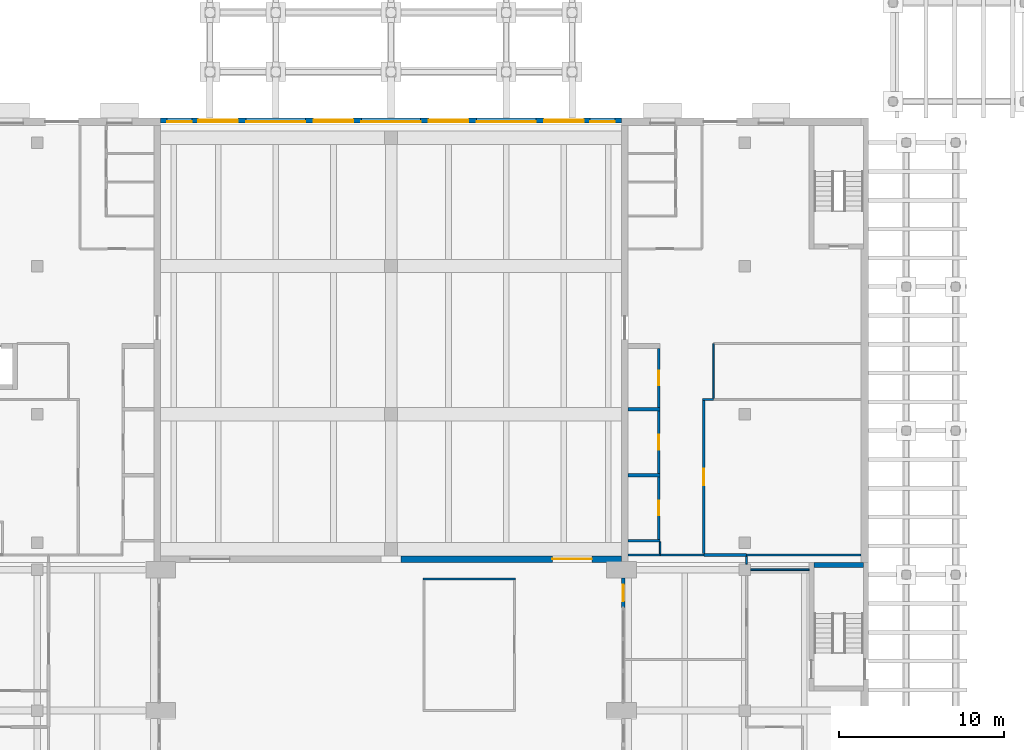
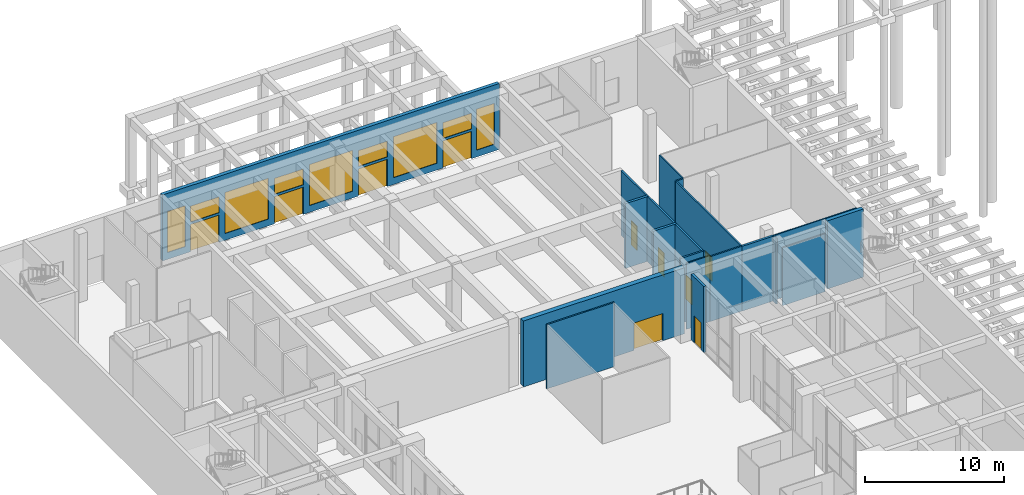
# One storey, part 39 of 51: 21 walls, 10 doors, 9 windows, 19 openings.
"""IFC4 building model written with IfcOpenShell, lengths in metres."""

from ifc_helpers import new_model, si_unit, direction, frame, frame_2d, origin, place, context, subcontext, project, spatial, rectangle, extrude, material, layer, layer_set, type_object, element, fill, save


model = new_model("IFC4")

# Units and contexts
model_context = context("Model", 3, precision=1e-05, world=origin(), true_north=direction((0.0, 1.0)))
body_context = subcontext(model_context, "Body", "Model", "MODEL_VIEW")
ifc_project = project(units=[si_unit("LENGTHUNIT", "METRE"), si_unit("AREAUNIT", "SQUARE_METRE"), si_unit("VOLUMEUNIT", "CUBIC_METRE"), si_unit("PLANEANGLEUNIT", "RADIAN"), si_unit("MASSUNIT", "GRAM", prefix="KILO")], contexts=[model_context])

# Site, building, storey
site_placement = place(None, origin())
site = spatial("IfcSite", under=ifc_project, at=site_placement, CompositionType="ELEMENT")
building_placement = place(site_placement, origin())
building = spatial("IfcBuilding", under=site, at=building_placement, Name="Elmora Arch Market Hall", CompositionType="ELEMENT")
storey_placement = place(building_placement, origin())
storey = spatial("IfcBuildingStorey", under=building, at=storey_placement, Name="L00", CompositionType="ELEMENT", Elevation=0.0)

# Wall
ifc_material_1 = material(Name="Blockwork", Category="masonry")
ifc_layer_1 = layer(ifc_material_1, 0.14990234375)
ifc_layer_set_1 = layer_set([ifc_layer_1], Name="Blockwork")
wall_type_1 = type_object("IfcWallType", Name="Blockwork partition 150 EI 120", PredefinedType="PARTITIONING", material=ifc_layer_set_1)
wall_1_placement = place(storey_placement, frame((43.39990234375, 100.324951171875, 0.0), z_axis=(0.0, 0.0, 1.0), x_axis=(1.0, 0.0, 0.0)))
element("IfcWall", 1, at=wall_1_placement, inside=storey, type_object=wall_type_1, Name="Riser wall L00 22", PredefinedType="PARTITIONING", context=body_context, shape_type="SweptSolid", body=[
    extrude(rectangle(XDim=1.9501953125, YDim=0.14990234375, at=frame_2d((0.97509765625, 0.0))), origin(), (0.0, 0.0, 1.0), 5.699951171875),
])

# Wall, opening, door
wall_2_placement = place(storey_placement, frame((45.27490234375, 100.39990234375, 0.0), z_axis=(0.0, 0.0, 1.0), x_axis=(0.0, 1.0, 0.0)))
wall_2 = element("IfcWall", 2, at=wall_2_placement, inside=storey, type_object=wall_type_1, Name="Riser wall L00 26", PredefinedType="PARTITIONING", context=body_context, shape_type="SweptSolid", body=[
    extrude(rectangle(XDim=3.800048828125, YDim=0.14990234375, at=frame_2d((1.89990234375, 0.0))), origin(), (0.0, 0.0, 1.0), 5.699951171875),
])
opening_1_placement = place(wall_2_placement, frame((1.449951171875, 0.0, 0.0)))
opening_1 = element("IfcOpeningElement", 3, at=opening_1_placement, cuts=wall_2, Name="Opening D-L00-078", PredefinedType="OPENING", context=body_context, shape_type="SweptSolid", body=[
    extrude(rectangle(XDim=0.89990234375, YDim=2.10009765625, at=frame_2d((0.449951171875, 1.050048828125))), frame((0.0, 0.0849609375, 0.0), z_axis=(0.0, -1.0, 0.0), x_axis=(1.0, 0.0, 0.0)), (0.0, 0.0, 1.0), 0.169921875),
])
ifc_material_2 = material(Name="Steel ASTM A653 galvanised", Category="steel")
door_type_1 = type_object("IfcDoorType", Name="Door 900 x 2100 FD90", OperationType="SINGLE_SWING_LEFT", PredefinedType="DOOR", material=ifc_material_2)
door_1_placement = place(opening_1_placement, origin())
door_1 = element("IfcDoor", 4, at=door_1_placement, inside=storey, type_object=door_type_1, Name="Riser access door D-L00-078", OperationType="SINGLE_SWING_LEFT", OverallHeight=2.10009765625, OverallWidth=0.89990234375, PredefinedType="DOOR", context=body_context, shape_type="SweptSolid", body=[
    extrude(rectangle(XDim=0.89990234375, YDim=2.10009765625, at=frame_2d((0.449951171875, 1.050048828125))), frame((0.0, 0.02490234375, 0.0), z_axis=(0.0, -1.0, 0.0), x_axis=(1.0, 0.0, 0.0)), (0.0, 0.0, 1.0), 0.050048828125),
])
fill(opening_1, door_1)

wall_3_placement = place(storey_placement, frame((45.27490234375, 104.39990234375, 0.0), z_axis=(0.0, 0.0, 1.0), x_axis=(0.0, 1.0, 0.0)))
wall_3 = element("IfcWall", 5, at=wall_3_placement, inside=storey, type_object=wall_type_1, Name="Riser wall L00 27", PredefinedType="PARTITIONING", context=body_context, shape_type="SweptSolid", body=[
    extrude(rectangle(XDim=3.800048828125, YDim=0.14990234375, at=frame_2d((1.89990234375, 0.0))), origin(), (0.0, 0.0, 1.0), 5.699951171875),
])
opening_2_placement = place(wall_3_placement, frame((1.449951171875, 0.0, 0.0)))
opening_2 = element("IfcOpeningElement", 6, at=opening_2_placement, cuts=wall_3, Name="Opening D-L00-082", PredefinedType="OPENING", context=body_context, shape_type="SweptSolid", body=[
    extrude(rectangle(XDim=0.89990234375, YDim=2.10009765625, at=frame_2d((0.449951171875, 1.050048828125))), frame((0.0, 0.0849609375, 0.0), z_axis=(0.0, -1.0, 0.0), x_axis=(1.0, 0.0, 0.0)), (0.0, 0.0, 1.0), 0.169921875),
])
door_2_placement = place(opening_2_placement, origin())
door_2 = element("IfcDoor", 7, at=door_2_placement, inside=storey, type_object=door_type_1, Name="Riser access door D-L00-082", OperationType="SINGLE_SWING_LEFT", OverallHeight=2.10009765625, OverallWidth=0.89990234375, PredefinedType="DOOR", context=body_context, shape_type="SweptSolid", body=[
    extrude(rectangle(XDim=0.89990234375, YDim=2.10009765625, at=frame_2d((0.449951171875, 1.050048828125))), frame((0.0, 0.02490234375, 0.0), z_axis=(0.0, -1.0, 0.0), x_axis=(1.0, 0.0, 0.0)), (0.0, 0.0, 1.0), 0.050048828125),
])
fill(opening_2, door_2)

wall_4_placement = place(storey_placement, frame((45.27490234375, 108.39990234375, 0.0), z_axis=(0.0, 0.0, 1.0), x_axis=(0.0, 1.0, 0.0)))
wall_4 = element("IfcWall", 8, at=wall_4_placement, inside=storey, type_object=wall_type_1, Name="Riser wall L00 28", PredefinedType="PARTITIONING", context=body_context, shape_type="SweptSolid", body=[
    extrude(rectangle(XDim=3.60009765625, YDim=0.14990234375, at=frame_2d((1.800048828125, 0.0))), origin(), (0.0, 0.0, 1.0), 5.699951171875),
])
opening_3_placement = place(wall_4_placement, frame((1.35009765625, 0.0, 0.0)))
opening_3 = element("IfcOpeningElement", 9, at=opening_3_placement, cuts=wall_4, Name="Opening D-L00-084", PredefinedType="OPENING", context=body_context, shape_type="SweptSolid", body=[
    extrude(rectangle(XDim=0.89990234375, YDim=2.10009765625, at=frame_2d((0.449951171875, 1.050048828125))), frame((0.0, 0.0849609375, 0.0), z_axis=(0.0, -1.0, 0.0), x_axis=(1.0, 0.0, 0.0)), (0.0, 0.0, 1.0), 0.169921875),
])
door_3_placement = place(opening_3_placement, origin())
door_3 = element("IfcDoor", 10, at=door_3_placement, inside=storey, type_object=door_type_1, Name="Riser access door D-L00-084", OperationType="SINGLE_SWING_LEFT", OverallHeight=2.10009765625, OverallWidth=0.89990234375, PredefinedType="DOOR", context=body_context, shape_type="SweptSolid", body=[
    extrude(rectangle(XDim=0.89990234375, YDim=2.10009765625, at=frame_2d((0.449951171875, 1.050048828125))), frame((0.0, 0.02490234375, 0.0), z_axis=(0.0, -1.0, 0.0), x_axis=(1.0, 0.0, 0.0)), (0.0, 0.0, 1.0), 0.050048828125),
])
fill(opening_3, door_3)

# Walls
ifc_material_3 = material(Name="Blockwork", Category="masonry")
ifc_layer_2 = layer(ifc_material_3, 0.199951171875)
ifc_layer_set_2 = layer_set([ifc_layer_2], Name="Blockwork")
wall_type_2 = type_object("IfcWallType", Name="Blockwork partition 200 EI 120", PredefinedType="PARTITIONING", material=ifc_layer_set_2)
for number, where, z_axis, x_axis, name in (
    (11, (43.39990234375, 104.300048828125, 0.0), (0.0, 0.0, 1.0), (1.0, 0.0, 0.0), "Riser wall L00 23"),
    (12, (43.39990234375, 108.300048828125, 0.0), (0.0, 0.0, 1.0), (1.0, 0.0, 0.0), "Riser wall L00 24"),
):
    element("IfcWall", number, at=place(storey_placement, frame(where, z_axis=z_axis, x_axis=x_axis)), inside=storey, type_object=wall_type_2, Name=name, PredefinedType="PARTITIONING", context=body_context, shape_type="SweptSolid", body=[
        extrude(rectangle(XDim=1.9501953125, YDim=0.199951171875, at=frame_2d((0.97509765625, 0.0))), origin(), (0.0, 0.0, 1.0), 5.699951171875),
    ])

# Wall, openings, windows, doors
ifc_material_4 = material(Name="Concrete C40/50", Category="concrete")
ifc_layer_3 = layer(ifc_material_4, 0.300048828125)
ifc_layer_set_3 = layer_set([ifc_layer_3], Name="Concrete C40/50")
wall_type_3 = type_object("IfcWallType", Name="Board-marked concrete wall 300", PredefinedType="SOLIDWALL", material=ifc_layer_set_3)
wall_5_placement = place(storey_placement, frame((15.0, 125.85009765625, 0.0), z_axis=(0.0, 0.0, 1.0), x_axis=(1.0, 0.0, 0.0)))
wall_5 = element("IfcWall", 13, at=wall_5_placement, inside=storey, type_object=wall_type_3, Name="Gate screen wall", PredefinedType="SOLIDWALL", context=body_context, shape_type="SweptSolid", body=[
    extrude(rectangle(XDim=28.0, YDim=0.300048828125, at=frame_2d((14.0, 0.0))), origin(), (0.0, 0.0, 1.0), 5.800048828125),
])
opening_4_placement = place(wall_5_placement, frame((2.300048828125, 0.0, 0.0)))
opening_4 = element("IfcOpeningElement", 14, at=opening_4_placement, cuts=wall_5, Name="Opening EX-MKT-1", PredefinedType="OPENING", context=body_context, shape_type="SweptSolid", body=[
    extrude(rectangle(XDim=2.39990234375, YDim=2.39990234375, at=frame_2d((1.199951171875, 1.199951171875))), frame((0.0, 0.159912109375, 0.0), z_axis=(0.0, -1.0, 0.0), x_axis=(1.0, 0.0, 0.0)), (0.0, 0.0, 1.0), 0.320068359375),
])
opening_5_placement = place(wall_5_placement, frame((2.300048828125, 0.0, 2.60009765625)))
opening_5 = element("IfcOpeningElement", 15, at=opening_5_placement, cuts=wall_5, Name="Opening WK2", PredefinedType="OPENING", context=body_context, shape_type="SweptSolid", body=[
    extrude(rectangle(XDim=2.39990234375, YDim=1.39990234375, at=frame_2d((1.199951171875, 0.699951171875))), frame((0.0, 0.159912109375, 0.0), z_axis=(0.0, -1.0, 0.0), x_axis=(1.0, 0.0, 0.0)), (0.0, 0.0, 1.0), 0.320068359375),
])
opening_6_placement = place(wall_5_placement, frame((9.300048828125, 0.0, 0.0)))
opening_6 = element("IfcOpeningElement", 16, at=opening_6_placement, cuts=wall_5, Name="Opening EX-MKT-2", PredefinedType="OPENING", context=body_context, shape_type="SweptSolid", body=[
    extrude(rectangle(XDim=2.39990234375, YDim=2.39990234375, at=frame_2d((1.199951171875, 1.199951171875))), frame((0.0, 0.159912109375, 0.0), z_axis=(0.0, -1.0, 0.0), x_axis=(1.0, 0.0, 0.0)), (0.0, 0.0, 1.0), 0.320068359375),
])
opening_7_placement = place(wall_5_placement, frame((9.300048828125, 0.0, 2.60009765625)))
opening_7 = element("IfcOpeningElement", 17, at=opening_7_placement, cuts=wall_5, Name="Opening WK2", PredefinedType="OPENING", context=body_context, shape_type="SweptSolid", body=[
    extrude(rectangle(XDim=2.39990234375, YDim=1.39990234375, at=frame_2d((1.199951171875, 0.699951171875))), frame((0.0, 0.159912109375, 0.0), z_axis=(0.0, -1.0, 0.0), x_axis=(1.0, 0.0, 0.0)), (0.0, 0.0, 1.0), 0.320068359375),
])
opening_8_placement = place(wall_5_placement, frame((16.300048828125, 0.0, 0.0)))
opening_8 = element("IfcOpeningElement", 18, at=opening_8_placement, cuts=wall_5, Name="Opening EX-MKT-3", PredefinedType="OPENING", context=body_context, shape_type="SweptSolid", body=[
    extrude(rectangle(XDim=2.39990234375, YDim=2.39990234375, at=frame_2d((1.199951171875, 1.199951171875))), frame((0.0, 0.159912109375, 0.0), z_axis=(0.0, -1.0, 0.0), x_axis=(1.0, 0.0, 0.0)), (0.0, 0.0, 1.0), 0.320068359375),
])
opening_9_placement = place(wall_5_placement, frame((16.300048828125, 0.0, 2.60009765625)))
opening_9 = element("IfcOpeningElement", 19, at=opening_9_placement, cuts=wall_5, Name="Opening WK2", PredefinedType="OPENING", context=body_context, shape_type="SweptSolid", body=[
    extrude(rectangle(XDim=2.39990234375, YDim=1.39990234375, at=frame_2d((1.199951171875, 0.699951171875))), frame((0.0, 0.159912109375, 0.0), z_axis=(0.0, -1.0, 0.0), x_axis=(1.0, 0.0, 0.0)), (0.0, 0.0, 1.0), 0.320068359375),
])
opening_10_placement = place(wall_5_placement, frame((23.300048828125, 0.0, 0.0)))
opening_10 = element("IfcOpeningElement", 20, at=opening_10_placement, cuts=wall_5, Name="Opening EX-MKT-4", PredefinedType="OPENING", context=body_context, shape_type="SweptSolid", body=[
    extrude(rectangle(XDim=2.39990234375, YDim=2.39990234375, at=frame_2d((1.199951171875, 1.199951171875))), frame((0.0, 0.159912109375, 0.0), z_axis=(0.0, -1.0, 0.0), x_axis=(1.0, 0.0, 0.0)), (0.0, 0.0, 1.0), 0.320068359375),
])
opening_11_placement = place(wall_5_placement, frame((23.300048828125, 0.0, 2.60009765625)))
opening_11 = element("IfcOpeningElement", 21, at=opening_11_placement, cuts=wall_5, Name="Opening WK2", PredefinedType="OPENING", context=body_context, shape_type="SweptSolid", body=[
    extrude(rectangle(XDim=2.39990234375, YDim=1.39990234375, at=frame_2d((1.199951171875, 0.699951171875))), frame((0.0, 0.159912109375, 0.0), z_axis=(0.0, -1.0, 0.0), x_axis=(1.0, 0.0, 0.0)), (0.0, 0.0, 1.0), 0.320068359375),
])
opening_12_placement = place(wall_5_placement, frame((0.39990234375, 0.0, 0.60009765625)))
opening_12 = element("IfcOpeningElement", 22, at=opening_12_placement, cuts=wall_5, Name="Opening WK3", PredefinedType="OPENING", context=body_context, shape_type="SweptSolid", body=[
    extrude(rectangle(XDim=1.5, YDim=3.60009765625, at=frame_2d((0.75, 1.800048828125))), frame((0.0, 0.159912109375, 0.0), z_axis=(0.0, -1.0, 0.0), x_axis=(1.0, 0.0, 0.0)), (0.0, 0.0, 1.0), 0.320068359375),
])
opening_13_placement = place(wall_5_placement, frame((5.199951171875, 0.0, 0.60009765625)))
opening_13 = element("IfcOpeningElement", 23, at=opening_13_placement, cuts=wall_5, Name="Opening WK1", PredefinedType="OPENING", context=body_context, shape_type="SweptSolid", body=[
    extrude(rectangle(XDim=3.60009765625, YDim=3.60009765625, at=frame_2d((1.800048828125, 1.800048828125))), frame((0.0, 0.159912109375, 0.0), z_axis=(0.0, -1.0, 0.0), x_axis=(1.0, 0.0, 0.0)), (0.0, 0.0, 1.0), 0.320068359375),
])
opening_14_placement = place(wall_5_placement, frame((12.199951171875, 0.0, 0.60009765625)))
opening_14 = element("IfcOpeningElement", 24, at=opening_14_placement, cuts=wall_5, Name="Opening WK1", PredefinedType="OPENING", context=body_context, shape_type="SweptSolid", body=[
    extrude(rectangle(XDim=3.60009765625, YDim=3.60009765625, at=frame_2d((1.800048828125, 1.800048828125))), frame((0.0, 0.159912109375, 0.0), z_axis=(0.0, -1.0, 0.0), x_axis=(1.0, 0.0, 0.0)), (0.0, 0.0, 1.0), 0.320068359375),
])
opening_15_placement = place(wall_5_placement, frame((19.199951171875, 0.0, 0.60009765625)))
opening_15 = element("IfcOpeningElement", 25, at=opening_15_placement, cuts=wall_5, Name="Opening WK1", PredefinedType="OPENING", context=body_context, shape_type="SweptSolid", body=[
    extrude(rectangle(XDim=3.60009765625, YDim=3.60009765625, at=frame_2d((1.800048828125, 1.800048828125))), frame((0.0, 0.159912109375, 0.0), z_axis=(0.0, -1.0, 0.0), x_axis=(1.0, 0.0, 0.0)), (0.0, 0.0, 1.0), 0.320068359375),
])
opening_16_placement = place(wall_5_placement, frame((26.10009765625, 0.0, 0.60009765625)))
opening_16 = element("IfcOpeningElement", 26, at=opening_16_placement, cuts=wall_5, Name="Opening WK3", PredefinedType="OPENING", context=body_context, shape_type="SweptSolid", body=[
    extrude(rectangle(XDim=1.5, YDim=3.60009765625, at=frame_2d((0.75, 1.800048828125))), frame((0.0, 0.159912109375, 0.0), z_axis=(0.0, -1.0, 0.0), x_axis=(1.0, 0.0, 0.0)), (0.0, 0.0, 1.0), 0.320068359375),
])
ifc_material_5 = material(Name="Aluminium", Category="aluminium")
window_type_1 = type_object("IfcWindowType", Name="Gate fanlight 2400x1400", PartitioningType="SINGLE_PANEL", PredefinedType="WINDOW", material=ifc_material_5)
window_1_placement = place(opening_5_placement, origin())
window_1 = element("IfcWindow", 27, at=window_1_placement, inside=storey, type_object=window_type_1, Name="Window WK2 L00 N57", OverallHeight=1.39990234375, OverallWidth=2.39990234375, PartitioningType="SINGLE_PANEL", PredefinedType="WINDOW", context=body_context, shape_type="SweptSolid", body=[
    extrude(rectangle(XDim=2.39990234375, YDim=1.39990234375, at=frame_2d((1.199951171875, 0.699951171875))), frame((0.0, -0.050048828125, 0.0), z_axis=(0.0, -1.0, 0.0), x_axis=(1.0, 0.0, 0.0)), (0.0, 0.0, 1.0), 0.06005859375),
])
fill(opening_5, window_1)
window_2_placement = place(opening_7_placement, origin())
window_2 = element("IfcWindow", 28, at=window_2_placement, inside=storey, type_object=window_type_1, Name="Window WK2 L00 N58", OverallHeight=1.39990234375, OverallWidth=2.39990234375, PartitioningType="SINGLE_PANEL", PredefinedType="WINDOW", context=body_context, shape_type="SweptSolid", body=[
    extrude(rectangle(XDim=2.39990234375, YDim=1.39990234375, at=frame_2d((1.199951171875, 0.699951171875))), frame((0.0, -0.050048828125, 0.0), z_axis=(0.0, -1.0, 0.0), x_axis=(1.0, 0.0, 0.0)), (0.0, 0.0, 1.0), 0.06005859375),
])
fill(opening_7, window_2)
window_3_placement = place(opening_9_placement, origin())
window_3 = element("IfcWindow", 29, at=window_3_placement, inside=storey, type_object=window_type_1, Name="Window WK2 L00 N59", OverallHeight=1.39990234375, OverallWidth=2.39990234375, PartitioningType="SINGLE_PANEL", PredefinedType="WINDOW", context=body_context, shape_type="SweptSolid", body=[
    extrude(rectangle(XDim=2.39990234375, YDim=1.39990234375, at=frame_2d((1.199951171875, 0.699951171875))), frame((0.0, -0.050048828125, 0.0), z_axis=(0.0, -1.0, 0.0), x_axis=(1.0, 0.0, 0.0)), (0.0, 0.0, 1.0), 0.06005859375),
])
fill(opening_9, window_3)
window_4_placement = place(opening_11_placement, origin())
window_4 = element("IfcWindow", 30, at=window_4_placement, inside=storey, type_object=window_type_1, Name="Window WK2 L00 N60", OverallHeight=1.39990234375, OverallWidth=2.39990234375, PartitioningType="SINGLE_PANEL", PredefinedType="WINDOW", context=body_context, shape_type="SweptSolid", body=[
    extrude(rectangle(XDim=2.39990234375, YDim=1.39990234375, at=frame_2d((1.199951171875, 0.699951171875))), frame((0.0, -0.050048828125, 0.0), z_axis=(0.0, -1.0, 0.0), x_axis=(1.0, 0.0, 0.0)), (0.0, 0.0, 1.0), 0.06005859375),
])
fill(opening_11, window_4)
ifc_material_6 = material(Name="Aluminium", Category="aluminium")
window_type_2 = type_object("IfcWindowType", Name="Gate light 1500x3600", PartitioningType="SINGLE_PANEL", PredefinedType="WINDOW", material=ifc_material_6)
window_5_placement = place(opening_12_placement, origin())
window_5 = element("IfcWindow", 31, at=window_5_placement, inside=storey, type_object=window_type_2, Name="Window WK3 L00 N61", OverallHeight=3.60009765625, OverallWidth=1.5, PartitioningType="SINGLE_PANEL", PredefinedType="WINDOW", context=body_context, shape_type="SweptSolid", body=[
    extrude(rectangle(XDim=1.5, YDim=3.60009765625, at=frame_2d((0.75, 1.800048828125))), frame((0.0, -0.050048828125, 0.0), z_axis=(0.0, -1.0, 0.0), x_axis=(1.0, 0.0, 0.0)), (0.0, 0.0, 1.0), 0.06005859375),
])
fill(opening_12, window_5)
window_6_placement = place(opening_16_placement, origin())
window_6 = element("IfcWindow", 32, at=window_6_placement, inside=storey, type_object=window_type_2, Name="Window WK3 L00 N65", OverallHeight=3.60009765625, OverallWidth=1.5, PartitioningType="SINGLE_PANEL", PredefinedType="WINDOW", context=body_context, shape_type="SweptSolid", body=[
    extrude(rectangle(XDim=1.5, YDim=3.60009765625, at=frame_2d((0.75, 1.800048828125))), frame((0.0, -0.050048828125, 0.0), z_axis=(0.0, -1.0, 0.0), x_axis=(1.0, 0.0, 0.0)), (0.0, 0.0, 1.0), 0.06005859375),
])
fill(opening_16, window_6)
ifc_material_7 = material(Name="Aluminium", Category="aluminium")
window_type_3 = type_object("IfcWindowType", Name="Gate light 3600x3600", PartitioningType="SINGLE_PANEL", PredefinedType="WINDOW", material=ifc_material_7)
window_7_placement = place(opening_13_placement, origin())
window_7 = element("IfcWindow", 33, at=window_7_placement, inside=storey, type_object=window_type_3, Name="Window WK1 L00 N62", OverallHeight=3.60009765625, OverallWidth=3.60009765625, PartitioningType="SINGLE_PANEL", PredefinedType="WINDOW", context=body_context, shape_type="SweptSolid", body=[
    extrude(rectangle(XDim=3.60009765625, YDim=3.60009765625, at=frame_2d((1.800048828125, 1.800048828125))), frame((0.0, -0.050048828125, 0.0), z_axis=(0.0, -1.0, 0.0), x_axis=(1.0, 0.0, 0.0)), (0.0, 0.0, 1.0), 0.06005859375),
])
fill(opening_13, window_7)
window_8_placement = place(opening_14_placement, origin())
window_8 = element("IfcWindow", 34, at=window_8_placement, inside=storey, type_object=window_type_3, Name="Window WK1 L00 N63", OverallHeight=3.60009765625, OverallWidth=3.60009765625, PartitioningType="SINGLE_PANEL", PredefinedType="WINDOW", context=body_context, shape_type="SweptSolid", body=[
    extrude(rectangle(XDim=3.60009765625, YDim=3.60009765625, at=frame_2d((1.800048828125, 1.800048828125))), frame((0.0, -0.050048828125, 0.0), z_axis=(0.0, -1.0, 0.0), x_axis=(1.0, 0.0, 0.0)), (0.0, 0.0, 1.0), 0.06005859375),
])
fill(opening_14, window_8)
window_9_placement = place(opening_15_placement, origin())
window_9 = element("IfcWindow", 35, at=window_9_placement, inside=storey, type_object=window_type_3, Name="Window WK1 L00 N64", OverallHeight=3.60009765625, OverallWidth=3.60009765625, PartitioningType="SINGLE_PANEL", PredefinedType="WINDOW", context=body_context, shape_type="SweptSolid", body=[
    extrude(rectangle(XDim=3.60009765625, YDim=3.60009765625, at=frame_2d((1.800048828125, 1.800048828125))), frame((0.0, -0.050048828125, 0.0), z_axis=(0.0, -1.0, 0.0), x_axis=(1.0, 0.0, 0.0)), (0.0, 0.0, 1.0), 0.06005859375),
])
fill(opening_15, window_9)
ifc_material_8 = material(Name="Glazed aluminium", Category="aluminium")
door_type_2 = type_object("IfcDoorType", Name="Market entrance door 2400x2400", OperationType="DOUBLE_DOOR_DOUBLE_SWING", PredefinedType="DOOR", material=ifc_material_8)
door_4_placement = place(opening_4_placement, origin())
door_4 = element("IfcDoor", 36, at=door_4_placement, inside=storey, type_object=door_type_2, Name="Market entrance 1", OperationType="DOUBLE_DOOR_DOUBLE_SWING", OverallHeight=2.39990234375, OverallWidth=2.39990234375, PredefinedType="DOOR", context=body_context, shape_type="SweptSolid", body=[
    extrude(rectangle(XDim=2.39990234375, YDim=2.39990234375, at=frame_2d((1.199951171875, 1.199951171875))), frame((0.0, 0.02490234375, 0.0), z_axis=(0.0, -1.0, 0.0), x_axis=(1.0, 0.0, 0.0)), (0.0, 0.0, 1.0), 0.050048828125),
])
fill(opening_4, door_4)
door_5_placement = place(opening_6_placement, origin())
door_5 = element("IfcDoor", 37, at=door_5_placement, inside=storey, type_object=door_type_2, Name="Market entrance 2", OperationType="DOUBLE_DOOR_DOUBLE_SWING", OverallHeight=2.39990234375, OverallWidth=2.39990234375, PredefinedType="DOOR", context=body_context, shape_type="SweptSolid", body=[
    extrude(rectangle(XDim=2.39990234375, YDim=2.39990234375, at=frame_2d((1.199951171875, 1.199951171875))), frame((0.0, 0.02490234375, 0.0), z_axis=(0.0, -1.0, 0.0), x_axis=(1.0, 0.0, 0.0)), (0.0, 0.0, 1.0), 0.050048828125),
])
fill(opening_6, door_5)
door_6_placement = place(opening_8_placement, origin())
door_6 = element("IfcDoor", 38, at=door_6_placement, inside=storey, type_object=door_type_2, Name="Market entrance 3", OperationType="DOUBLE_DOOR_DOUBLE_SWING", OverallHeight=2.39990234375, OverallWidth=2.39990234375, PredefinedType="DOOR", context=body_context, shape_type="SweptSolid", body=[
    extrude(rectangle(XDim=2.39990234375, YDim=2.39990234375, at=frame_2d((1.199951171875, 1.199951171875))), frame((0.0, 0.02490234375, 0.0), z_axis=(0.0, -1.0, 0.0), x_axis=(1.0, 0.0, 0.0)), (0.0, 0.0, 1.0), 0.050048828125),
])
fill(opening_8, door_6)
door_7_placement = place(opening_10_placement, origin())
door_7 = element("IfcDoor", 39, at=door_7_placement, inside=storey, type_object=door_type_2, Name="Market entrance 4", OperationType="DOUBLE_DOOR_DOUBLE_SWING", OverallHeight=2.39990234375, OverallWidth=2.39990234375, PredefinedType="DOOR", context=body_context, shape_type="SweptSolid", body=[
    extrude(rectangle(XDim=2.39990234375, YDim=2.39990234375, at=frame_2d((1.199951171875, 1.199951171875))), frame((0.0, 0.02490234375, 0.0), z_axis=(0.0, -1.0, 0.0), x_axis=(1.0, 0.0, 0.0)), (0.0, 0.0, 1.0), 0.050048828125),
])
fill(opening_10, door_7)

# Wall, opening, door
ifc_material_9 = material(Name="Concrete C40/50", Category="concrete")
ifc_layer_4 = layer(ifc_material_9, 0.199951171875)
ifc_layer_set_4 = layer_set([ifc_layer_4], Name="Concrete C40/50")
wall_type_4 = type_object("IfcWallType", Name="Concrete shopfront pier 200", PredefinedType="PARTITIONING", material=ifc_layer_set_4)
wall_6_placement = place(storey_placement, frame((43.10009765625, 96.25, 0.0), z_axis=(0.0, 0.0, 1.0), x_axis=(0.0, 1.0, 0.0)))
wall_6 = element("IfcWall", 40, at=wall_6_placement, inside=storey, type_object=wall_type_4, Name="Shopfront pier E 8", PredefinedType="PARTITIONING", context=body_context, shape_type="SweptSolid", body=[
    extrude(rectangle(XDim=1.800048828125, YDim=0.199951171875, at=frame_2d((0.89990234375, 0.0))), origin(), (0.0, 0.0, 1.0), 5.800048828125),
])
opening_17_placement = place(wall_6_placement, frame((0.39990234375, 0.0, 0.0)))
opening_17 = element("IfcOpeningElement", 41, at=opening_17_placement, cuts=wall_6, Name="Opening SD-E08", PredefinedType="OPENING", context=body_context, shape_type="SweptSolid", body=[
    extrude(rectangle(XDim=1.0, YDim=2.39990234375, at=frame_2d((0.5, 1.199951171875))), frame((0.0, 0.10986328125, 0.0), z_axis=(0.0, -1.0, 0.0), x_axis=(1.0, 0.0, 0.0)), (0.0, 0.0, 1.0), 0.219970703125),
])
ifc_material_10 = material(Name="Glazed aluminium", Category="aluminium")
door_type_3 = type_object("IfcDoorType", Name="Shop door 1000x2400", OperationType="SINGLE_SWING_LEFT", PredefinedType="DOOR", material=ifc_material_10)
door_8_placement = place(opening_17_placement, frame((1.0, 0.0, 0.0), z_axis=(0.0, 0.0, 1.0), x_axis=(-1.0, 0.0, 0.0)))
door_8 = element("IfcDoor", 42, at=door_8_placement, inside=storey, type_object=door_type_3, Name="Shop door E08", OperationType="SINGLE_SWING_LEFT", OverallHeight=2.39990234375, OverallWidth=1.0, PredefinedType="DOOR", context=body_context, shape_type="SweptSolid", body=[
    extrude(rectangle(XDim=1.0, YDim=2.39990234375, at=frame_2d((0.5, 1.199951171875))), frame((0.0, 0.02490234375, 0.0), z_axis=(0.0, -1.0, 0.0), x_axis=(1.0, 0.0, 0.0)), (0.0, 0.0, 1.0), 0.050048828125),
])
fill(opening_17, door_8)

ifc_material_11 = material(Name="Blockwork", Category="masonry")
ifc_layer_5 = layer(ifc_material_11, 0.39990234375)
ifc_layer_set_5 = layer_set([ifc_layer_5], Name="Blockwork")
wall_type_5 = type_object("IfcWallType", Name="Hall end wall 400 EI 60", PredefinedType="PARTITIONING", material=ifc_layer_set_5)
wall_7_placement = place(storey_placement, frame((29.60009765625, 99.199951171875, 0.0), z_axis=(0.0, 0.0, 1.0), x_axis=(1.0, 0.0, 0.0)))
wall_7 = element("IfcWall", 43, at=wall_7_placement, inside=storey, type_object=wall_type_5, Name="Hall end wall E", PredefinedType="PARTITIONING", context=body_context, shape_type="SweptSolid", body=[
    extrude(rectangle(XDim=13.39990234375, YDim=0.39990234375, at=frame_2d((6.699951171875, 0.0))), origin(), (0.0, 0.0, 1.0), 5.800048828125),
])
opening_18_placement = place(wall_7_placement, frame((9.199951171875, 0.0, 0.0)))
opening_18 = element("IfcOpeningElement", 44, at=opening_18_placement, cuts=wall_7, Name="Opening D-L00-075", PredefinedType="OPENING", context=body_context, shape_type="SweptSolid", body=[
    extrude(rectangle(XDim=2.39990234375, YDim=2.39990234375, at=frame_2d((1.199951171875, 1.199951171875))), frame((0.0, 0.2099609375, 0.0), z_axis=(0.0, -1.0, 0.0), x_axis=(1.0, 0.0, 0.0)), (0.0, 0.0, 1.0), 0.419921875),
])
ifc_material_12 = material(Name="Steel ASTM A653 galvanised", Category="steel")
door_type_4 = type_object("IfcDoorType", Name="Double door 2400 x 2400", OperationType="DOUBLE_DOOR_SINGLE_SWING", PredefinedType="DOOR", material=ifc_material_12)
door_9_placement = place(opening_18_placement, origin())
door_9 = element("IfcDoor", 45, at=door_9_placement, inside=storey, type_object=door_type_4, Name="D-L00-075", OperationType="DOUBLE_DOOR_SINGLE_SWING", OverallHeight=2.39990234375, OverallWidth=2.39990234375, PredefinedType="DOOR", context=body_context, shape_type="SweptSolid", body=[
    extrude(rectangle(XDim=2.39990234375, YDim=2.39990234375, at=frame_2d((1.199951171875, 1.199951171875))), frame((0.0, 0.02490234375, 0.0), z_axis=(0.0, -1.0, 0.0), x_axis=(1.0, 0.0, 0.0)), (0.0, 0.0, 1.0), 0.050048828125),
])
fill(opening_18, door_9)

# Walls
ifc_material_13 = material(Name="Gypsum board on metal studs")
ifc_layer_6 = layer(ifc_material_13, 0.10009765625)
ifc_layer_set_6 = layer_set([ifc_layer_6], Name="Gypsum board on metal studs")
wall_type_6 = type_object("IfcWallType", Name="Partition 100", PredefinedType="PARTITIONING", material=ifc_layer_set_6)
wall_8_placement = place(storey_placement, frame((50.85009765625, 98.550048828125, 0.0), z_axis=(0.0, 0.0, 1.0), x_axis=(1.0, 0.0, 0.0)))
element("IfcWall", 46, at=wall_8_placement, inside=storey, type_object=wall_type_6, Name="Partition PT-L00-088", PredefinedType="PARTITIONING", context=body_context, shape_type="SweptSolid", body=[
    extrude(rectangle(XDim=3.5498046875, YDim=0.10009765625, at=frame_2d((1.77490234375, 0.0))), origin(), (0.0, 0.0, 1.0), 5.10009765625),
])
wall_9_placement = place(storey_placement, frame((43.39990234375, 99.449951171875, 0.0), z_axis=(0.0, 0.0, 1.0), x_axis=(1.0, 0.0, 0.0)))
element("IfcWall", 47, at=wall_9_placement, inside=storey, type_object=wall_type_6, Name="Partition PT-L00-094", PredefinedType="PARTITIONING", context=body_context, shape_type="SweptSolid", body=[
    extrude(rectangle(XDim=1.9501953125, YDim=0.10009765625, at=frame_2d((0.97509765625, 0.0))), origin(), (0.0, 0.0, 1.0), 5.800048828125),
])
wall_10_placement = place(storey_placement, frame((50.60009765625, 99.449951171875, 0.0), z_axis=(0.0, 0.0, 1.0), x_axis=(1.0, 0.0, 0.0)))
element("IfcWall", 48, at=wall_10_placement, inside=storey, type_object=wall_type_6, Name="Partition PT-L00-097", PredefinedType="PARTITIONING", context=body_context, shape_type="SweptSolid", body=[
    extrude(rectangle(XDim=6.949951171875, YDim=0.10009765625, at=frame_2d((3.47509765625, 0.0))), origin(), (0.0, 0.0, 1.0), 5.699951171875),
])
wall_11_placement = place(storey_placement, frame((45.35009765625, 99.512451171875, 0.0), z_axis=(0.0, 0.0, 1.0), x_axis=(0.0, 1.0, 0.0)))
element("IfcWall", 49, at=wall_11_placement, inside=storey, type_object=wall_type_6, Name="Partition PT-L00-224", PredefinedType="PARTITIONING", context=body_context, shape_type="SweptSolid", body=[
    extrude(rectangle(XDim=0.737548828125, YDim=0.10009765625, at=frame_2d((0.36865234375, 0.0))), origin(), (0.0, 0.0, 1.0), 5.699951171875),
])
wall_12_placement = place(storey_placement, frame((48.60009765625, 108.96240234375, 0.0), z_axis=(0.0, 0.0, 1.0), x_axis=(0.0, 1.0, 0.0)))
element("IfcWall", 50, at=wall_12_placement, inside=storey, type_object=wall_type_6, Name="Partition PT-L00-230", PredefinedType="PARTITIONING", context=body_context, shape_type="SweptSolid", body=[
    extrude(rectangle(XDim=3.32763671875, YDim=0.10009765625, at=frame_2d((1.663818359375, 0.0))), origin(), (0.0, 0.0, 1.0), 5.699951171875),
])
wall_13_placement = place(storey_placement, frame((50.60009765625, 98.89990234375, 0.0), z_axis=(0.0, 0.0, 1.0), x_axis=(0.0, 1.0, 0.0)))
element("IfcWall", 51, at=wall_13_placement, inside=storey, type_object=wall_type_6, Name="Partition PT-L00-234", PredefinedType="PARTITIONING", context=body_context, shape_type="SweptSolid", body=[
    extrude(rectangle(XDim=0.462646484375, YDim=0.10009765625, at=frame_2d((0.2314453125, 0.0))), origin(), (0.0, 0.0, 1.0), 5.800048828125),
])
ifc_material_14 = material(Name="Gypsum board on metal studs")
ifc_layer_7 = layer(ifc_material_14, 0.125)
ifc_layer_set_7 = layer_set([ifc_layer_7], Name="Gypsum board on metal studs")
wall_type_7 = type_object("IfcWallType", Name="Partition 125 EI 60", PredefinedType="PARTITIONING", material=ifc_layer_set_7)
wall_14_placement = place(storey_placement, frame((30.9375, 98.0, 0.0), z_axis=(0.0, 0.0, 1.0), x_axis=(1.0, 0.0, 0.0)))
element("IfcWall", 52, at=wall_14_placement, inside=storey, type_object=wall_type_7, Name="Partition PT-L00-087", PredefinedType="PARTITIONING", context=body_context, shape_type="SweptSolid", body=[
    extrude(rectangle(XDim=5.625, YDim=0.125, at=frame_2d((2.8125, 0.0))), origin(), (0.0, 0.0, 1.0), 5.64990234375),
])
wall_15_placement = place(storey_placement, frame((45.35009765625, 99.449951171875, 0.0), z_axis=(0.0, 0.0, 1.0), x_axis=(1.0, 0.0, 0.0)))
element("IfcWall", 53, at=wall_15_placement, inside=storey, type_object=wall_type_7, Name="Partition PT-L00-095", PredefinedType="PARTITIONING", context=body_context, shape_type="SweptSolid", body=[
    extrude(rectangle(XDim=2.64990234375, YDim=0.125, at=frame_2d((1.324951171875, 0.0))), origin(), (0.0, 0.0, 1.0), 5.699951171875),
])
wall_16_placement = place(storey_placement, frame((47.9375, 108.89990234375, 0.0), z_axis=(0.0, 0.0, 1.0), x_axis=(1.0, 0.0, 0.0)))
element("IfcWall", 54, at=wall_16_placement, inside=storey, type_object=wall_type_7, Name="Partition PT-L00-101", PredefinedType="PARTITIONING", context=body_context, shape_type="SweptSolid", body=[
    extrude(rectangle(XDim=0.66259765625, YDim=0.125, at=frame_2d((0.331298828125, 0.0))), origin(), (0.0, 0.0, 1.0), 5.699951171875),
])

# Wall, opening, door
wall_17_placement = place(storey_placement, frame((48.0, 99.53759765625, 0.0), z_axis=(0.0, 0.0, 1.0), x_axis=(0.0, 1.0, 0.0)))
wall_17 = element("IfcWall", 55, at=wall_17_placement, inside=storey, type_object=wall_type_7, Name="Partition PT-L00-229", PredefinedType="PARTITIONING", context=body_context, shape_type="SweptSolid", body=[
    extrude(rectangle(XDim=9.2998046875, YDim=0.125, at=frame_2d((4.64990234375, 0.0))), origin(), (0.0, 0.0, 1.0), 5.699951171875),
])
opening_19_placement = place(wall_17_placement, frame((4.14990234375, 0.0, 0.0)))
opening_19 = element("IfcOpeningElement", 56, at=opening_19_placement, cuts=wall_17, Name="Opening D-L00-080", PredefinedType="OPENING", context=body_context, shape_type="SweptSolid", body=[
    extrude(rectangle(XDim=1.0, YDim=2.10009765625, at=frame_2d((0.5, 1.050048828125))), frame((0.0, 0.072509765625, 0.0), z_axis=(0.0, -1.0, 0.0), x_axis=(1.0, 0.0, 0.0)), (0.0, 0.0, 1.0), 0.14501953125),
])
ifc_material_15 = material(Name="Steel ASTM A653 galvanised", Category="steel")
door_type_5 = type_object("IfcDoorType", Name="Door 1000 x 2100 FD45", OperationType="SINGLE_SWING_LEFT", PredefinedType="DOOR", material=ifc_material_15)
door_10_placement = place(opening_19_placement, frame((1.0, 0.0, 0.0), z_axis=(0.0, 0.0, 1.0), x_axis=(-1.0, 0.0, 0.0)))
door_10 = element("IfcDoor", 57, at=door_10_placement, inside=storey, type_object=door_type_5, Name="D-L00-080", OperationType="SINGLE_SWING_RIGHT", OverallHeight=2.10009765625, OverallWidth=1.0, PredefinedType="DOOR", context=body_context, shape_type="SweptSolid", body=[
    extrude(rectangle(XDim=1.0, YDim=2.10009765625, at=frame_2d((0.5, 1.050048828125))), frame((0.0, 0.02490234375, 0.0), z_axis=(0.0, -1.0, 0.0), x_axis=(1.0, 0.0, 0.0)), (0.0, 0.0, 1.0), 0.050048828125),
])
fill(opening_19, door_10)

# Walls
ifc_material_16 = material(Name="Gypsum board on metal studs")
ifc_layer_8 = layer(ifc_material_16, 0.175048828125)
ifc_layer_set_8 = layer_set([ifc_layer_8], Name="Gypsum board on metal studs")
wall_type_8 = type_object("IfcWallType", Name="Partition 175 EI 60", PredefinedType="PARTITIONING", material=ifc_layer_set_8)
wall_18_placement = place(storey_placement, frame((48.0, 99.449951171875, 0.0), z_axis=(0.0, 0.0, 1.0), x_axis=(1.0, 0.0, 0.0)))
element("IfcWall", 58, at=wall_18_placement, inside=storey, type_object=wall_type_8, Name="Partition PT-L00-096", PredefinedType="PARTITIONING", context=body_context, shape_type="SweptSolid", body=[
    extrude(rectangle(XDim=2.60009765625, YDim=0.175048828125, at=frame_2d((1.300048828125, 0.0))), origin(), (0.0, 0.0, 1.0), 5.699951171875),
])
ifc_material_17 = material(Name="Concrete C40/50", Category="concrete")
ifc_layer_9 = layer(ifc_material_17, 0.300048828125)
ifc_layer_set_9 = layer_set([ifc_layer_9], Name="Concrete C40/50")
wall_type_9 = type_object("IfcWallType", Name="Stair wall 300", PredefinedType="SHEAR", material=ifc_layer_set_9)
wall_19_placement = place(storey_placement, frame((54.699951171875, 98.85009765625, 0.0), z_axis=(0.0, 0.0, 1.0), x_axis=(1.0, 0.0, 0.0)))
element("IfcWall", 59, at=wall_19_placement, inside=storey, type_object=wall_type_9, Name="Stair wall ST-EN N L00", PredefinedType="SHEAR", context=body_context, shape_type="SweptSolid", body=[
    extrude(rectangle(XDim=3.0, YDim=0.300048828125, at=frame_2d((1.5, 0.0))), origin(), (0.0, 0.0, 1.0), 6.0),
])

save(model, "model.ifc")
